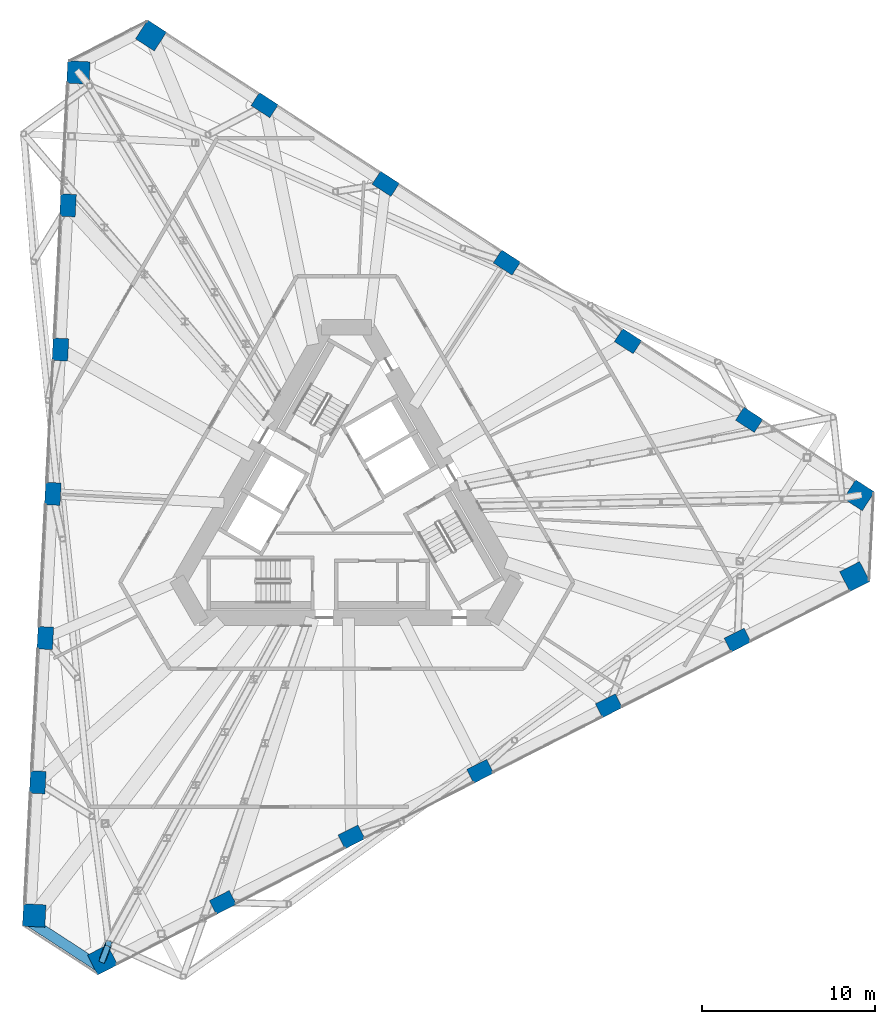
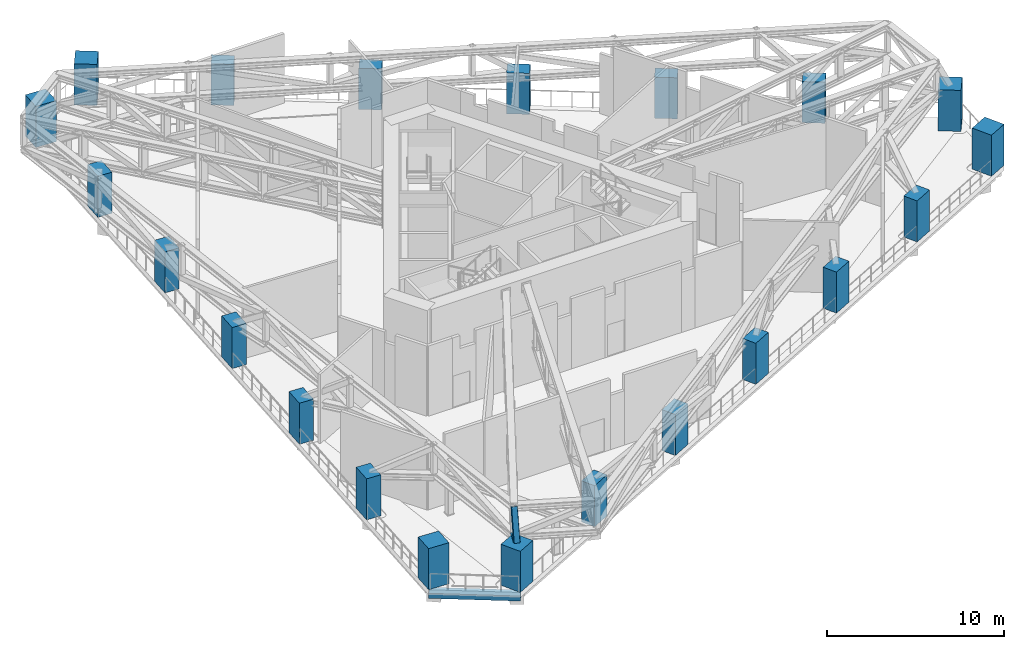
# One storey, part 1 of 26: 21 columns, 2 members, 1 beam.
"""IFC4 building model written with IfcOpenShell, lengths in metres."""

import ifcopenshell
import ifcopenshell.guid

model = None  # the IFC model being written
_history = None  # IfcOwnerHistory: only IFC2X3 demands one
_inside = {}  # id of a spatial element -> (the spatial element, [elements in it])
_under = {}  # id of a project, library or spatial element -> (it, [spatial elements below it])
_declared = {}  # id of a project -> (the project, [libraries it declares])
_typed = {}  # id of a type object -> (the type object, [elements of that type])
_made_of = {}  # id of a material, layer set ... -> (it, [elements and type objects made of it])


def new_model(schema):
    """Start an empty IFC model of exactly this schema.

    Asked for "IFC4X3", IfcOpenShell would pick the latest addendum, in which some entities
    have other attributes; the version numbers below select the first issue.
    IFC2X3 requires an IfcOwnerHistory on every rooted entity: one is made here for all.
    """
    global model, _history
    if schema == "IFC4X3":
        model = ifcopenshell.file(schema_version=(4, 3, 0, 0))
    else:
        model = ifcopenshell.file(schema=schema)
    _inside.clear()
    _under.clear()
    _declared.clear()
    _typed.clear()
    _made_of.clear()
    _history = None
    if model.schema == "IFC2X3":
        org = make("IfcOrganization", Name="unknown")
        user = make(
            "IfcPersonAndOrganization",
            ThePerson=make("IfcPerson", FamilyName="unknown"),
            TheOrganization=org,
        )
        app = make(
            "IfcApplication",
            ApplicationDeveloper=org,
            Version="unknown",
            ApplicationFullName="unknown",
            ApplicationIdentifier="unknown",
        )
        _history = make(
            "IfcOwnerHistory",
            OwningUser=user,
            OwningApplication=app,
            ChangeAction="ADDED",
            CreationDate=0,
        )
    return model


def make(cls, **values):
    """One entity of the class cls with the attributes given. An attribute that is None is left unset."""
    return model.create_entity(
        cls, **{name: value for name, value in values.items() if value is not None}
    )


def rooted(cls, **values):
    """An entity with a GlobalId (a new one), such as an element, a storey or a relation."""
    return make(cls, GlobalId=ifcopenshell.guid.new(), OwnerHistory=_history, **values)


def si_unit(unit_type, name, prefix=None):
    """IfcSIUnit, for example si_unit("LENGTHUNIT", "METRE", prefix="MILLI")."""
    return make("IfcSIUnit", UnitType=unit_type, Prefix=prefix, Name=name)


def assignment(units):
    """IfcUnitAssignment: the units of a project."""
    return None if units is None else make("IfcUnitAssignment", Units=units)


def point(xyz):
    """IfcCartesianPoint."""
    return None if xyz is None else make("IfcCartesianPoint", Coordinates=xyz)


def direction(xyz):
    """IfcDirection."""
    return None if xyz is None else make("IfcDirection", DirectionRatios=xyz)


def frame(location, z_axis=None, x_axis=None):
    """IfcAxis2Placement3D, a coordinate frame: its origin and axes. An axis left out is left unset."""
    return make(
        "IfcAxis2Placement3D",
        Location=point(location),
        Axis=direction(z_axis),
        RefDirection=direction(x_axis),
    )


def frame_2d(location, x_axis=None):
    """IfcAxis2Placement2D, a coordinate frame in the plane: its origin and x axis."""
    return make(
        "IfcAxis2Placement2D", Location=point(location), RefDirection=direction(x_axis)
    )


def origin():
    """The frame at (0, 0, 0) with its axes left unset."""
    return frame((0.0, 0.0, 0.0))


def origin_2d():
    """The frame at (0, 0) in the plane with its x axis left unset."""
    return frame_2d((0.0, 0.0))


def place(relative_to, where):
    """IfcLocalPlacement: puts the frame where relative to a parent placement (None: the world)."""
    return make(
        "IfcLocalPlacement", PlacementRelTo=relative_to, RelativePlacement=where
    )


def context(
    kind, dimensions, precision=None, world=None, true_north=None, identifier=None
):
    """IfcGeometricRepresentationContext, for example the 3D "Model" context."""
    return make(
        "IfcGeometricRepresentationContext",
        ContextIdentifier=identifier,
        ContextType=kind,
        CoordinateSpaceDimension=dimensions,
        Precision=precision,
        WorldCoordinateSystem=world,
        TrueNorth=true_north,
    )


def subcontext(parent, identifier, kind, view, scale=None):
    """IfcGeometricRepresentationSubContext, for example "Body" below "Model"."""
    return make(
        "IfcGeometricRepresentationSubContext",
        ContextIdentifier=identifier,
        ContextType=kind,
        ParentContext=parent,
        TargetScale=scale,
        TargetView=view,
    )


def project(units=None, contexts=None):
    """IfcProject with its units and contexts."""
    return rooted(
        "IfcProject",
        Name="project",
        RepresentationContexts=contexts,
        UnitsInContext=assignment(units),
    )


def spatial(cls, under=None, at=None, **own):
    """A site, building, storey or space (cls), placed at a placement, below another one or the project."""
    s = rooted(cls, ObjectPlacement=at, **own)
    if under is not None:
        _under.setdefault(under.id(), (under, []))[1].append(s)
    return s


def profile(cls, at=None, kind="AREA", **sizes):
    """A parametric profile (cls). Its sizes go by their IFC names, for example OverallWidth=200.0."""
    return make(cls, ProfileType=kind, Position=at, **sizes)


def rectangle(**sizes):
    """IfcRectangleProfileDef."""
    return profile("IfcRectangleProfileDef", **sizes)


def hollow_rectangle(**sizes):
    """IfcRectangleHollowProfileDef."""
    return profile("IfcRectangleHollowProfileDef", **sizes)


def i_section(**sizes):
    """IfcIShapeProfileDef."""
    return profile("IfcIShapeProfileDef", **sizes)


def extrude(swept, where, along, depth):
    """IfcExtrudedAreaSolid: the profile swept, set in the frame where, extruded along a direction by depth."""
    return make(
        "IfcExtrudedAreaSolid",
        SweptArea=swept,
        Position=where,
        ExtrudedDirection=direction(along),
        Depth=depth,
    )


def shape(context_of_items, identifier, shape_type, items):
    """IfcShapeRepresentation: the items that make up one representation, for example the "Body"."""
    return make(
        "IfcShapeRepresentation",
        ContextOfItems=context_of_items,
        RepresentationIdentifier=identifier,
        RepresentationType=shape_type,
        Items=items,
    )


def material(Name=None, Category=None):
    """IfcMaterial."""
    return make("IfcMaterial", Name=Name, Category=Category)


def material_profile(
    of_material, cross_section, Name=None, Category=None, Priority=None
):
    """IfcMaterialProfile: a cross section and its material."""
    return make(
        "IfcMaterialProfile",
        Name=Name,
        Material=of_material,
        Profile=cross_section,
        Priority=Priority,
        Category=Category,
    )


def profile_set(profiles, Name=None, composite=None):
    """IfcMaterialProfileSet."""
    return make(
        "IfcMaterialProfileSet",
        Name=Name,
        MaterialProfiles=profiles,
        CompositeProfile=composite,
    )


def made_of(thing, what):
    """Note that an element or type object is made of a material, layer set ...; save() writes the relation."""
    if what is not None:
        _made_of.setdefault(what.id(), (what, []))[1].append(thing)
    return thing


def type_object(cls, material=None, **own):
    """A type object (cls), such as IfcWallType, which elements share."""
    return made_of(rooted(cls, **own), material)


def element(
    cls,
    number,
    at=None,
    inside=None,
    cuts=None,
    type_object=None,
    material=None,
    context=None,
    identifier="Body",
    shape_type=None,
    held_by="IfcProductDefinitionShape",
    body=None,
    shapes=None,
    **own,
):
    """One element of the class cls, such as IfcWall. Its Tag is "e" and its number.

    at: its placement. inside: the storey or other place that contains it. cuts: it is an
    opening in that element (IfcRelVoidsElement). A single representation is given by context,
    identifier, shape_type and body (its items); several are given by shapes. held_by: the class
    of the entity that holds the representations. save() writes the other relations.
    """
    e = rooted(cls, Tag="e%d" % number, ObjectPlacement=at, **own)
    if body is not None:
        shapes = [shape(context, identifier, shape_type, body)]
    if shapes is not None:
        e.Representation = make(held_by, Representations=shapes)
    if inside is not None:
        _inside.setdefault(inside.id(), (inside, []))[1].append(e)
    if cuts is not None:
        rooted(
            "IfcRelVoidsElement", RelatingBuildingElement=cuts, RelatedOpeningElement=e
        )
    if type_object is not None:
        _typed.setdefault(type_object.id(), (type_object, []))[1].append(e)
    return made_of(e, material)


def aggregate(whole, parts):
    """IfcRelAggregates: a whole, such as a stair, and the parts it consists of."""
    return rooted("IfcRelAggregates", RelatingObject=whole, RelatedObjects=parts)


def save(model, path):
    """Write the relations noted so far, then the file.

    IfcRelAggregates (storeys below a building ...), IfcRelContainedInSpatialStructure (elements
    in a storey), IfcRelDefinesByType, IfcRelAssociatesMaterial and IfcRelDeclares: one each for
    every whole, place, type object, material and project.
    """
    for whole, parts in _under.values():
        aggregate(whole, parts)
    for where, things in _inside.values():
        rooted(
            "IfcRelContainedInSpatialStructure",
            RelatedElements=things,
            RelatingStructure=where,
        )
    for kind, things in _typed.values():
        rooted("IfcRelDefinesByType", RelatedObjects=things, RelatingType=kind)
    for what, things in _made_of.values():
        rooted("IfcRelAssociatesMaterial", RelatedObjects=things, RelatingMaterial=what)
    for by, libraries in _declared.values():
        rooted("IfcRelDeclares", RelatingContext=by, RelatedDefinitions=libraries)
    model.write(path)


model = new_model("IFC4")

# Units and contexts
model_context = context("Model", 3, precision=1e-05, world=origin(), true_north=direction((0.0, 1.0)))
body_context = subcontext(model_context, "Body", "Model", "MODEL_VIEW")
ifc_project = project(units=[si_unit("LENGTHUNIT", "METRE"), si_unit("AREAUNIT", "SQUARE_METRE"), si_unit("VOLUMEUNIT", "CUBIC_METRE"), si_unit("PLANEANGLEUNIT", "RADIAN"), si_unit("MASSUNIT", "GRAM", prefix="KILO")], contexts=[model_context])

# Site, building, storey
site_placement = place(None, origin())
site = spatial("IfcSite", under=ifc_project, at=site_placement, CompositionType="ELEMENT")
building_placement = place(site_placement, origin())
building = spatial("IfcBuilding", under=site, at=building_placement, Name="Tramontana Tower", CompositionType="ELEMENT")
storey_placement = place(building_placement, frame((0.0, 0.0, 157.60009765625)))
storey = spatial("IfcBuildingStorey", under=building, at=storey_placement, Name="L36", CompositionType="ELEMENT", Elevation=157.60009765625)

# Columns
ifc_material_1 = material(Name="Concrete 70 MPa", Category="concrete")
ifc_material_profile_1 = material_profile(ifc_material_1, rectangle(XDim=1.300048828125, YDim=1.300048828125, at=origin_2d()), Name="Mega column 1300X1300 70 MPa")
ifc_profile_set_1 = profile_set([ifc_material_profile_1], Name="Concrete 70 MPa")
column_type_1 = type_object("IfcColumnType", Name="Mega column 1300X1300 70 MPa", PredefinedType="COLUMN", material=ifc_profile_set_1)
for number, where, z_axis, x_axis, name in (
    (1, (-15.546630859375, 25.31298828125, 0.0), (0.0, 0.0, 1.0), (-0.052335956243, -0.998629534755, 0.0), "Mega column C3K1 L36"),
    (2, (-18.107177734375, -23.54931640625, 0.0), (0.0, 0.0, 1.0), (-0.052335956243, -0.998629534755, 0.0), "Mega column C3K2 L36"),
    (3, (-14.1484375, -26.1201171875, 0.0), (0.0, 0.0, 1.0), (0.891006524188, 0.45399049974, 0.0), "Mega column C3K3 L36"),
    (4, (29.447998046875, -3.90673828125, 0.0), (0.0, 0.0, 1.0), (0.891006524188, 0.45399049974, 0.0), "Mega column C3K4 L36"),
    (5, (29.695068359375, 0.80712890625, 0.0), (0.0, 0.0, 1.0), (-0.838670567945, 0.544639035015, 0.0), "Mega column C3K5 L36"),
    (6, (-11.340576171875, 27.4560546875, 0.0), (0.0, 0.0, 1.0), (-0.838670567945, 0.544639035015, 0.0), "Mega column C3K6 L36"),
):
    element("IfcColumn", number, at=place(storey_placement, frame(where, z_axis=z_axis, x_axis=x_axis)), inside=storey, type_object=column_type_1, Name=name, PredefinedType="COLUMN", context=body_context, shape_type="SweptSolid", body=[
        extrude(rectangle(XDim=1.300048828125, YDim=1.300048828125, at=origin_2d()), origin(), (0.0, 0.0, 1.0), 2.8349609375),
    ])
ifc_material_2 = material(Name="Concrete 55 MPa", Category="concrete")
ifc_material_profile_2 = material_profile(ifc_material_2, rectangle(XDim=1.300048828125, YDim=0.89990234375, at=origin_2d()), Name="Pier column 1300X900 55 MPa")
ifc_profile_set_2 = profile_set([ifc_material_profile_2], Name="Concrete 55 MPa")
column_type_2 = type_object("IfcColumnType", Name="Pier column 1300X900 55 MPa", PredefinedType="COLUMN", material=ifc_profile_set_2)
for number, where, z_axis, x_axis, name in (
    (7, (-16.150390625, 17.612548828125, 0.0), (0.0, 0.0, 1.0), (-0.052335956243, -0.998629534755, 0.0), "Pier column C3F01 L36"),
    (8, (-16.58837890625, 9.25244140625, 0.0), (0.0, 0.0, 1.0), (-0.052335956243, -0.998629534755, 0.0), "Pier column C3F02 L36"),
    (9, (-17.026611328125, 0.892333984375, 0.0), (0.0, 0.0, 1.0), (-0.052335956243, -0.998629534755, 0.0), "Pier column C3F03 L36"),
    (10, (-17.46484375, -7.4677734375, 0.0), (0.0, 0.0, 1.0), (-0.052335956243, -0.998629534755, 0.0), "Pier column C3F04 L36"),
    (11, (-17.90283203125, -15.827880859375, 0.0), (0.0, 0.0, 1.0), (-0.052335956243, -0.998629534755, 0.0), "Pier column C3F05 L36"),
    (12, (-7.177734375, -22.79296875, 0.0), (0.0, 0.0, 1.0), (0.891006524188, 0.45399049974, 0.0), "Pier column C3F06 L36"),
    (13, (0.281494140625, -18.9921875, 0.0), (0.0, 0.0, 1.0), (0.891006524188, 0.45399049974, 0.0), "Pier column C3F07 L36"),
    (14, (7.740478515625, -15.191650390625, 0.0), (0.0, 0.0, 1.0), (0.891006524188, 0.45399049974, 0.0), "Pier column C3F08 L36"),
    (15, (15.19970703125, -11.39111328125, 0.0), (0.0, 0.0, 1.0), (0.891006524188, 0.45399049974, 0.0), "Pier column C3F09 L36"),
    (16, (22.65869140625, -7.59033203125, 0.0), (0.0, 0.0, 1.0), (0.891006524188, 0.45399049974, 0.0), "Pier column C3F10 L36"),
    (17, (23.328125, 5.180419921875, 0.0), (0.0, 0.0, 1.0), (-0.838670567945, 0.544639035015, 0.0), "Pier column C3F11 L36"),
    (18, (16.30712890625, 9.73974609375, 0.0), (0.0, 0.0, 1.0), (-0.838670567945, 0.544639035015, 0.0), "Pier column C3F12 L36"),
    (19, (9.2861328125, 14.29931640625, 0.0), (0.0, 0.0, 1.0), (-0.838670567945, 0.544639035015, 0.0), "Pier column C3F13 L36"),
    (20, (2.26513671875, 18.85888671875, 0.0), (0.0, 0.0, 1.0), (-0.838670567945, 0.544639035015, 0.0), "Pier column C3F14 L36"),
    (21, (-4.755859375, 23.418212890625, 0.0), (0.0, 0.0, 1.0), (-0.838670567945, 0.544639035015, 0.0), "Pier column C3F15 L36"),
):
    element("IfcColumn", number, at=place(storey_placement, frame(where, z_axis=z_axis, x_axis=x_axis)), inside=storey, type_object=column_type_2, Name=name, PredefinedType="COLUMN", context=body_context, shape_type="SweptSolid", body=[
        extrude(rectangle(XDim=1.300048828125, YDim=0.89990234375, at=origin_2d()), origin(), (0.0, 0.0, 1.0), 2.8349609375),
    ])

# Beam
ifc_material_3 = material(Name="Concrete 40 MPa", Category="concrete")
ifc_material_profile_3 = material_profile(ifc_material_3, rectangle(XDim=0.60009765625, YDim=0.35009765625, at=origin_2d()), Name="RC EDGE BEAM 600X350 40 MPa")
ifc_profile_set_3 = profile_set([ifc_material_profile_3], Name="Concrete 40 MPa")
beam_type = type_object("IfcBeamType", Name="RC EDGE BEAM 600X350 40 MPa", PredefinedType="SPANDREL", material=ifc_profile_set_3)
beam_placement = place(storey_placement, frame((-18.54541015625, -23.787109375, -0.525146484375), z_axis=(0.838668969916, -0.544641495757, 0.0), x_axis=(0.544641495757, 0.838668969916, 0.0)))
element("IfcBeam", 22, at=beam_placement, inside=storey, type_object=beam_type, Name="Spandrel beam K1 L36", PredefinedType="SPANDREL", context=body_context, shape_type="SweptSolid", body=[
    extrude(rectangle(XDim=0.60009765625, YDim=0.35009765625, at=origin_2d()), origin(), (0.0, 0.0, 1.0), 5.1962890625),
])

# Members
ifc_material_4 = material(Name="Steel ASTM A500 Grade C", Category="steel")
ifc_material_profile_4 = material_profile(ifc_material_4, hollow_rectangle(XDim=0.355712890625, YDim=0.355712890625, WallThickness=0.01171875, InnerFilletRadius=0.01171875, OuterFilletRadius=0.023681640625, at=origin_2d()), Name="HSS14X14X1/2")
ifc_profile_set_4 = profile_set([ifc_material_profile_4], Name="Steel ASTM A500 Grade C")
member_type_1 = type_object("IfcMemberType", Name="Transfer truss HSS14X14X1/2 brace", PredefinedType="BRACE", material=ifc_profile_set_4)
member_1_placement = place(storey_placement, frame((-14.1484375, -26.1201171875, 2.617431640625), z_axis=(0.157507661623, 0.418105334397, 0.894639181949), x_axis=(-0.93579966272, 0.352532255621, 0.0)))
element("IfcMember", 23, at=member_1_placement, inside=storey, type_object=member_type_1, Name="Transfer truss strut C4K2 diagonal", PredefinedType="BRACE", context=body_context, shape_type="SweptSolid", body=[
    extrude(hollow_rectangle(XDim=0.355712890625, YDim=0.355712890625, WallThickness=0.01171875, InnerFilletRadius=0.01171875, OuterFilletRadius=0.023681640625, at=origin_2d()), origin(), (0.0, 0.0, 1.0), 2.252197265625),
])
ifc_material_5 = material(Name="Steel ASTM A992 Grade 50", Category="steel")
ifc_material_profile_5 = material_profile(ifc_material_5, i_section(OverallWidth=0.412841796875, OverallDepth=0.43505859375, WebThickness=0.03662109375, FlangeThickness=0.05712890625, FilletRadius=0.01513671875, at=origin_2d()), Name="W14X311")
ifc_profile_set_5 = profile_set([ifc_material_profile_5], Name="Steel ASTM A992 Grade 50")
member_type_2 = type_object("IfcMemberType", Name="Transfer truss W14X311 strut", PredefinedType="STRUT", material=ifc_profile_set_5)
member_2_placement = place(storey_placement, frame((-14.1484375, -26.1201171875, 2.617431640625), z_axis=(0.352532255621, 0.93579966272, 0.0), x_axis=(-0.93579966272, 0.352532255621, 0.0)))
element("IfcMember", 24, at=member_2_placement, inside=storey, type_object=member_type_2, Name="Transfer truss strut C4K2 bottom", PredefinedType="STRUT", context=body_context, shape_type="SweptSolid", body=[
    extrude(i_section(OverallWidth=0.412841796875, OverallDepth=0.43505859375, WebThickness=0.03662109375, FlangeThickness=0.05712890625, FilletRadius=0.01513671875, at=origin_2d()), origin(), (0.0, 0.0, 1.0), 1.00634765625),
])

save(model, "model.ifc")
